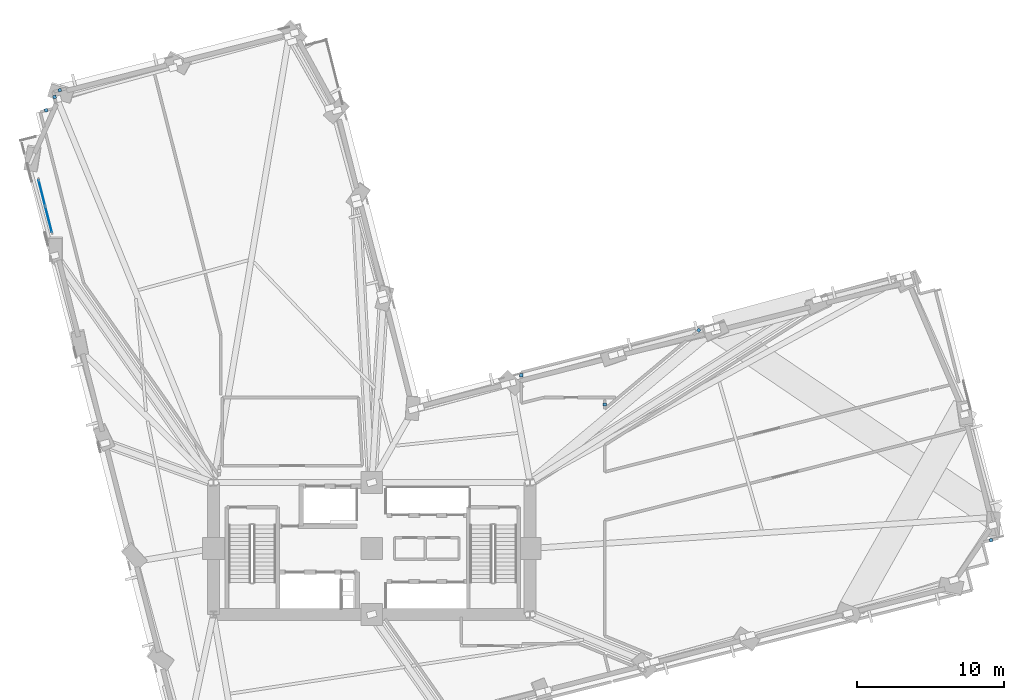
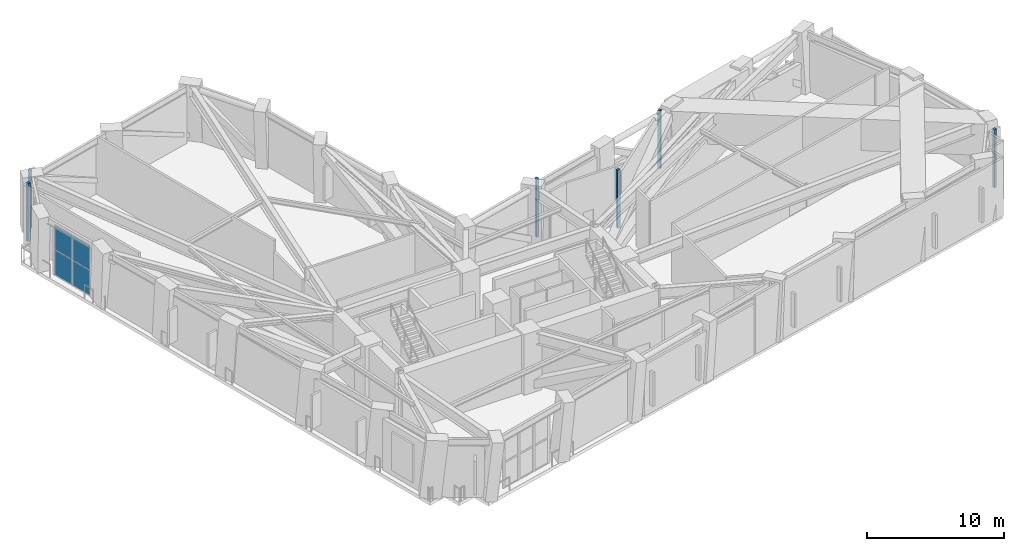
# One storey, part 8 of 17: 11 plates, 1 element without a shape of its own.
"""IFC4 building model written with IfcOpenShell, lengths in metres."""

from ifc_helpers import new_model, si_unit, direction, frame, origin, origin_2d, place, context, subcontext, project, spatial, rectangle, extrude, material, layer, layer_set, type_object, element, aggregate, save


model = new_model("IFC4")

# Units and contexts
model_context = context("Model", 3, precision=1e-05, world=origin(), true_north=direction((0.0, 1.0)))
body_context = subcontext(model_context, "Body", "Model", "MODEL_VIEW")
ifc_project = project(units=[si_unit("LENGTHUNIT", "METRE"), si_unit("AREAUNIT", "SQUARE_METRE"), si_unit("VOLUMEUNIT", "CUBIC_METRE"), si_unit("PLANEANGLEUNIT", "RADIAN"), si_unit("MASSUNIT", "GRAM", prefix="KILO")], contexts=[model_context])

# Site, building, storey
site_placement = place(None, origin())
site = spatial("IfcSite", under=ifc_project, at=site_placement, CompositionType="ELEMENT")
building_placement = place(site_placement, origin())
building = spatial("IfcBuilding", under=site, at=building_placement, Name="Gaonmaruhae Medical Tower", CompositionType="ELEMENT")
storey_placement = place(building_placement, frame((0.0, 0.0, 83.0)))
storey = spatial("IfcBuildingStorey", under=building, at=storey_placement, Name="L19", CompositionType="ELEMENT", Elevation=83.0)

# Curtain wall, plates
ifc_material_1 = material(Name="Anodised aluminium and Low-E double glazing", Category="aluminium")
curtain_wall_type = type_object("IfcCurtainWallType", Name="CW-S2 Express Sky Lobby Feature Curtain Wall", PredefinedType="NOTDEFINED", material=ifc_material_1)
curtain_wall_placement = place(storey_placement, origin())
curtain_wall = element("IfcCurtainWall", 1, at=curtain_wall_placement, inside=storey, type_object=curtain_wall_type, Name="L19 Curtain Wall CW-L19-W01", PredefinedType="NOTDEFINED")
ifc_material_2 = material(Name="Low-E double solar glass", Category="glass")
ifc_layer_1 = layer(ifc_material_2, 0.028076171875)
ifc_layer_set_1 = layer_set([ifc_layer_1], Name="Low-E double solar glass")
plate_type_1 = type_object("IfcPlateType", Name="CWP-V1 Low-E Double Vision Glazing Panel", PredefinedType="CURTAIN_PANEL", material=ifc_layer_set_1)
plate_1_placement = place(storey_placement, frame((2.75146484375, 34.750244140625, 0.06494140625), z_axis=(0.0, 0.0, 1.0), x_axis=(-0.246135508828, 0.969235426145, 0.0)))
plate_1 = element("IfcPlate", 2, at=plate_1_placement, type_object=plate_type_1, Name="CW-S2 panel 1.1", PredefinedType="CURTAIN_PANEL", context=body_context, shape_type="SweptSolid", body=[
    extrude(rectangle(XDim=1.79833984375, YDim=0.028076171875, at=origin_2d()), origin(), (0.0, 0.0, 1.0), 2.18505859375),
])
plate_2_placement = place(storey_placement, frame((2.75146484375, 34.750244140625, 2.31494140625), z_axis=(0.0, 0.0, 1.0), x_axis=(-0.246135508828, 0.969235426145, 0.0)))
plate_2 = element("IfcPlate", 3, at=plate_2_placement, type_object=plate_type_1, Name="CW-S2 panel 1.2", PredefinedType="CURTAIN_PANEL", context=body_context, shape_type="SweptSolid", body=[
    extrude(rectangle(XDim=1.79833984375, YDim=0.028076171875, at=origin_2d()), origin(), (0.0, 0.0, 1.0), 2.18505859375),
])
plate_3_placement = place(storey_placement, frame((2.290283203125, 36.566162109375, 0.06494140625), z_axis=(0.0, 0.0, 1.0), x_axis=(-0.246135508828, 0.969235426145, 0.0)))
plate_3 = element("IfcPlate", 4, at=plate_3_placement, type_object=plate_type_1, Name="CW-S2 panel 2.1", PredefinedType="CURTAIN_PANEL", context=body_context, shape_type="SweptSolid", body=[
    extrude(rectangle(XDim=1.79833984375, YDim=0.028076171875, at=origin_2d()), origin(), (0.0, 0.0, 1.0), 2.18505859375),
])
plate_4_placement = place(storey_placement, frame((2.290283203125, 36.566162109375, 2.31494140625), z_axis=(0.0, 0.0, 1.0), x_axis=(-0.246135508828, 0.969235426145, 0.0)))
plate_4 = element("IfcPlate", 5, at=plate_4_placement, type_object=plate_type_1, Name="CW-S2 panel 2.2", PredefinedType="CURTAIN_PANEL", context=body_context, shape_type="SweptSolid", body=[
    extrude(rectangle(XDim=1.79833984375, YDim=0.028076171875, at=origin_2d()), origin(), (0.0, 0.0, 1.0), 2.18505859375),
])
aggregate(curtain_wall, [plate_1, plate_2, plate_3, plate_4])

# Plates
ifc_material_3 = material(Name="Anodised aluminium 6063-T6", Category="aluminium")
ifc_layer_2 = layer(ifc_material_3, 0.011962890625)
ifc_layer_set_2 = layer_set([ifc_layer_2], Name="Anodised aluminium 6063-T6")
plate_type_2 = type_object("IfcPlateType", Name="PP-01 Interior Partition Corner Stiffener Plate", PredefinedType="SHEET", material=ifc_layer_set_2)
for number, where, z_axis, x_axis, name in (
    (6, (67.055419921875, 12.867919921875, 0.0), (0.0, 0.0, 1.0), (-0.969157831893, -0.24644085879, 0.0), "L19 Partition Corner Stiffener Plate PLT-L19-JGP-PW030"),
    (7, (35.0, 24.115966796875, 0.0), (0.0, 0.0, 1.0), (0.0, 1.0, 0.0), "L19 Partition Corner Stiffener Plate PLT-L19-JGP-PW048"),
    (8, (47.111083984375, 27.19189453125, 0.0), (0.0, 0.0, 1.0), (-0.767019591765, -0.641623679308, 0.0), "L19 Partition Corner Stiffener Plate PLT-L19-JGP-PW050"),
    (9, (40.697998046875, 22.132568359375, 0.0), (0.0, 0.0, 1.0), (-0.006527485048, 0.999978695743, 0.0), "L19 Partition Corner Stiffener Plate PLT-L19-JGP-PW052"),
    (10, (3.510498046875, 43.570556640625, 0.0), (0.0, 0.0, 1.0), (0.969166433711, 0.246407028649, 0.0), "L19 Partition Corner Stiffener Plate PLT-L19-JGP-PW053"),
    (11, (2.58154296875, 42.199951171875, 0.0), (0.0, 0.0, 1.0), (0.969363949583, 0.245628852637, 0.0), "L19 Partition Corner Stiffener Plate PLT-L19-JGP-PW060"),
):
    element("IfcPlate", number, at=place(storey_placement, frame(where, z_axis=z_axis, x_axis=x_axis)), inside=storey, type_object=plate_type_2, Name=name, PredefinedType="SHEET", context=body_context, shape_type="SweptSolid", body=[
        extrude(rectangle(XDim=0.219970703125, YDim=0.219970703125, at=origin_2d()), origin(), (0.0, 0.0, 1.0), 5.179931640625),
    ])
plate_5_placement = place(storey_placement, frame((3.156494140625, 43.10791015625, 0.0), z_axis=(0.0, 0.0, 1.0), x_axis=(-0.245138182011, 0.969488149345, 0.0)))
element("IfcPlate", 12, at=plate_5_placement, inside=storey, type_object=plate_type_2, Name="L19 Partition Corner Stiffener Plate PLT-L19-JGP-PW061", PredefinedType="SHEET", context=body_context, shape_type="SweptSolid", body=[
    extrude(rectangle(XDim=0.219970703125, YDim=0.219970703125, at=origin_2d()), origin(), (0.0, 0.0, 1.0), 4.1650390625),
])

save(model, "model.ifc")
